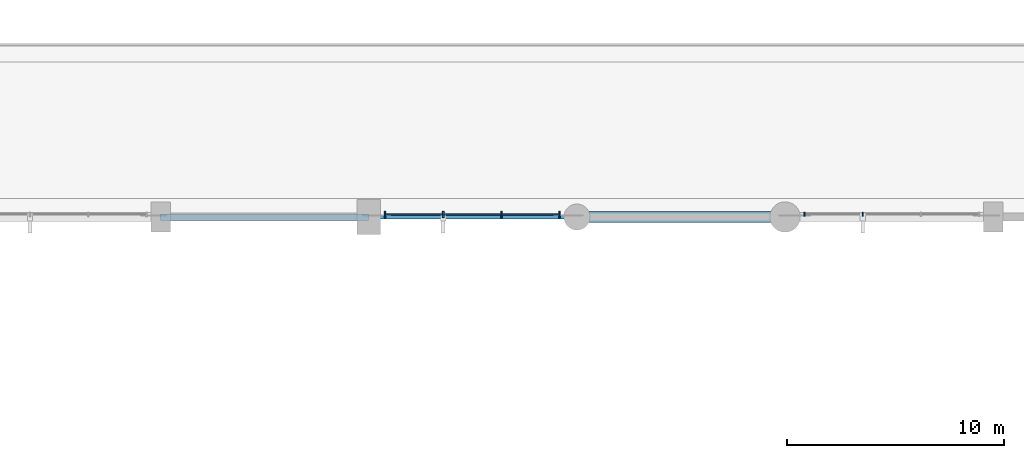
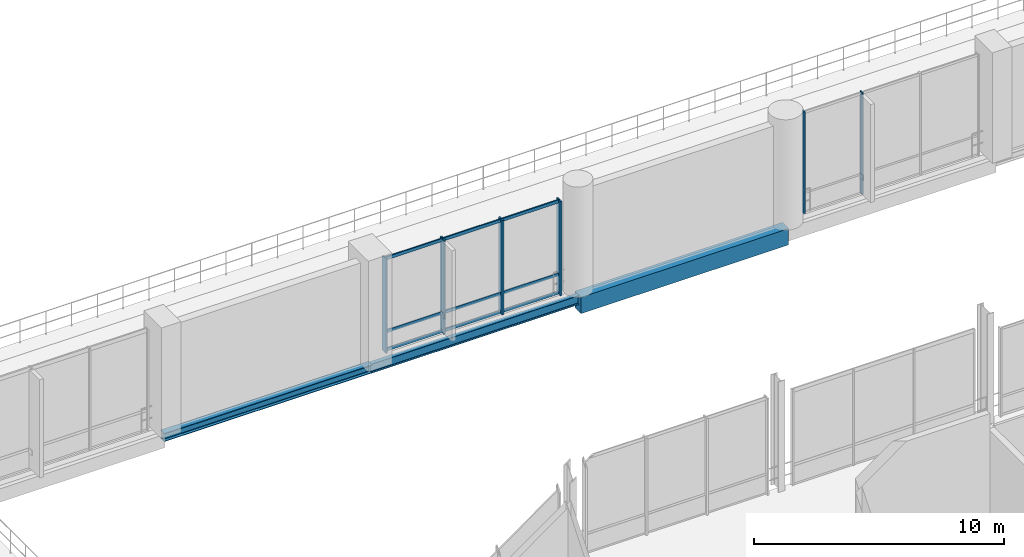
# One storey, part 35 of 129: 9 members, 3 beams, 2 elements without a shape of their own.
"""IFC4 building model written with IfcOpenShell, lengths in metres."""

import ifcopenshell
import ifcopenshell.guid

model = None  # the IFC model being written
_history = None  # IfcOwnerHistory: only IFC2X3 demands one
_inside = {}  # id of a spatial element -> (the spatial element, [elements in it])
_under = {}  # id of a project, library or spatial element -> (it, [spatial elements below it])
_declared = {}  # id of a project -> (the project, [libraries it declares])
_typed = {}  # id of a type object -> (the type object, [elements of that type])
_made_of = {}  # id of a material, layer set ... -> (it, [elements and type objects made of it])


def new_model(schema):
    """Start an empty IFC model of exactly this schema.

    Asked for "IFC4X3", IfcOpenShell would pick the latest addendum, in which some entities
    have other attributes; the version numbers below select the first issue.
    IFC2X3 requires an IfcOwnerHistory on every rooted entity: one is made here for all.
    """
    global model, _history
    if schema == "IFC4X3":
        model = ifcopenshell.file(schema_version=(4, 3, 0, 0))
    else:
        model = ifcopenshell.file(schema=schema)
    _inside.clear()
    _under.clear()
    _declared.clear()
    _typed.clear()
    _made_of.clear()
    _history = None
    if model.schema == "IFC2X3":
        org = make("IfcOrganization", Name="unknown")
        user = make(
            "IfcPersonAndOrganization",
            ThePerson=make("IfcPerson", FamilyName="unknown"),
            TheOrganization=org,
        )
        app = make(
            "IfcApplication",
            ApplicationDeveloper=org,
            Version="unknown",
            ApplicationFullName="unknown",
            ApplicationIdentifier="unknown",
        )
        _history = make(
            "IfcOwnerHistory",
            OwningUser=user,
            OwningApplication=app,
            ChangeAction="ADDED",
            CreationDate=0,
        )
    return model


def make(cls, **values):
    """One entity of the class cls with the attributes given. An attribute that is None is left unset."""
    return model.create_entity(
        cls, **{name: value for name, value in values.items() if value is not None}
    )


def rooted(cls, **values):
    """An entity with a GlobalId (a new one), such as an element, a storey or a relation."""
    return make(cls, GlobalId=ifcopenshell.guid.new(), OwnerHistory=_history, **values)


def si_unit(unit_type, name, prefix=None):
    """IfcSIUnit, for example si_unit("LENGTHUNIT", "METRE", prefix="MILLI")."""
    return make("IfcSIUnit", UnitType=unit_type, Prefix=prefix, Name=name)


def assignment(units):
    """IfcUnitAssignment: the units of a project."""
    return None if units is None else make("IfcUnitAssignment", Units=units)


def point(xyz):
    """IfcCartesianPoint."""
    return None if xyz is None else make("IfcCartesianPoint", Coordinates=xyz)


def direction(xyz):
    """IfcDirection."""
    return None if xyz is None else make("IfcDirection", DirectionRatios=xyz)


def frame(location, z_axis=None, x_axis=None):
    """IfcAxis2Placement3D, a coordinate frame: its origin and axes. An axis left out is left unset."""
    return make(
        "IfcAxis2Placement3D",
        Location=point(location),
        Axis=direction(z_axis),
        RefDirection=direction(x_axis),
    )


def frame_2d(location, x_axis=None):
    """IfcAxis2Placement2D, a coordinate frame in the plane: its origin and x axis."""
    return make(
        "IfcAxis2Placement2D", Location=point(location), RefDirection=direction(x_axis)
    )


def origin():
    """The frame at (0, 0, 0) with its axes left unset."""
    return frame((0.0, 0.0, 0.0))


def origin_2d():
    """The frame at (0, 0) in the plane with its x axis left unset."""
    return frame_2d((0.0, 0.0))


def place(relative_to, where):
    """IfcLocalPlacement: puts the frame where relative to a parent placement (None: the world)."""
    return make(
        "IfcLocalPlacement", PlacementRelTo=relative_to, RelativePlacement=where
    )


def context(
    kind, dimensions, precision=None, world=None, true_north=None, identifier=None
):
    """IfcGeometricRepresentationContext, for example the 3D "Model" context."""
    return make(
        "IfcGeometricRepresentationContext",
        ContextIdentifier=identifier,
        ContextType=kind,
        CoordinateSpaceDimension=dimensions,
        Precision=precision,
        WorldCoordinateSystem=world,
        TrueNorth=true_north,
    )


def subcontext(parent, identifier, kind, view, scale=None):
    """IfcGeometricRepresentationSubContext, for example "Body" below "Model"."""
    return make(
        "IfcGeometricRepresentationSubContext",
        ContextIdentifier=identifier,
        ContextType=kind,
        ParentContext=parent,
        TargetScale=scale,
        TargetView=view,
    )


def project(units=None, contexts=None):
    """IfcProject with its units and contexts."""
    return rooted(
        "IfcProject",
        Name="project",
        RepresentationContexts=contexts,
        UnitsInContext=assignment(units),
    )


def spatial(cls, under=None, at=None, **own):
    """A site, building, storey or space (cls), placed at a placement, below another one or the project."""
    s = rooted(cls, ObjectPlacement=at, **own)
    if under is not None:
        _under.setdefault(under.id(), (under, []))[1].append(s)
    return s


def profile(cls, at=None, kind="AREA", **sizes):
    """A parametric profile (cls). Its sizes go by their IFC names, for example OverallWidth=200.0."""
    return make(cls, ProfileType=kind, Position=at, **sizes)


def rectangle(**sizes):
    """IfcRectangleProfileDef."""
    return profile("IfcRectangleProfileDef", **sizes)


def i_section(**sizes):
    """IfcIShapeProfileDef."""
    return profile("IfcIShapeProfileDef", **sizes)


def extrude(swept, where, along, depth):
    """IfcExtrudedAreaSolid: the profile swept, set in the frame where, extruded along a direction by depth."""
    return make(
        "IfcExtrudedAreaSolid",
        SweptArea=swept,
        Position=where,
        ExtrudedDirection=direction(along),
        Depth=depth,
    )


def shape(context_of_items, identifier, shape_type, items):
    """IfcShapeRepresentation: the items that make up one representation, for example the "Body"."""
    return make(
        "IfcShapeRepresentation",
        ContextOfItems=context_of_items,
        RepresentationIdentifier=identifier,
        RepresentationType=shape_type,
        Items=items,
    )


def material(Name=None, Category=None):
    """IfcMaterial."""
    return make("IfcMaterial", Name=Name, Category=Category)


def material_profile(
    of_material, cross_section, Name=None, Category=None, Priority=None
):
    """IfcMaterialProfile: a cross section and its material."""
    return make(
        "IfcMaterialProfile",
        Name=Name,
        Material=of_material,
        Profile=cross_section,
        Priority=Priority,
        Category=Category,
    )


def profile_set(profiles, Name=None, composite=None):
    """IfcMaterialProfileSet."""
    return make(
        "IfcMaterialProfileSet",
        Name=Name,
        MaterialProfiles=profiles,
        CompositeProfile=composite,
    )


def made_of(thing, what):
    """Note that an element or type object is made of a material, layer set ...; save() writes the relation."""
    if what is not None:
        _made_of.setdefault(what.id(), (what, []))[1].append(thing)
    return thing


def type_object(cls, material=None, **own):
    """A type object (cls), such as IfcWallType, which elements share."""
    return made_of(rooted(cls, **own), material)


def element(
    cls,
    number,
    at=None,
    inside=None,
    cuts=None,
    type_object=None,
    material=None,
    context=None,
    identifier="Body",
    shape_type=None,
    held_by="IfcProductDefinitionShape",
    body=None,
    shapes=None,
    **own,
):
    """One element of the class cls, such as IfcWall. Its Tag is "e" and its number.

    at: its placement. inside: the storey or other place that contains it. cuts: it is an
    opening in that element (IfcRelVoidsElement). A single representation is given by context,
    identifier, shape_type and body (its items); several are given by shapes. held_by: the class
    of the entity that holds the representations. save() writes the other relations.
    """
    e = rooted(cls, Tag="e%d" % number, ObjectPlacement=at, **own)
    if body is not None:
        shapes = [shape(context, identifier, shape_type, body)]
    if shapes is not None:
        e.Representation = make(held_by, Representations=shapes)
    if inside is not None:
        _inside.setdefault(inside.id(), (inside, []))[1].append(e)
    if cuts is not None:
        rooted(
            "IfcRelVoidsElement", RelatingBuildingElement=cuts, RelatedOpeningElement=e
        )
    if type_object is not None:
        _typed.setdefault(type_object.id(), (type_object, []))[1].append(e)
    return made_of(e, material)


def aggregate(whole, parts):
    """IfcRelAggregates: a whole, such as a stair, and the parts it consists of."""
    return rooted("IfcRelAggregates", RelatingObject=whole, RelatedObjects=parts)


def save(model, path):
    """Write the relations noted so far, then the file.

    IfcRelAggregates (storeys below a building ...), IfcRelContainedInSpatialStructure (elements
    in a storey), IfcRelDefinesByType, IfcRelAssociatesMaterial and IfcRelDeclares: one each for
    every whole, place, type object, material and project.
    """
    for whole, parts in _under.values():
        aggregate(whole, parts)
    for where, things in _inside.values():
        rooted(
            "IfcRelContainedInSpatialStructure",
            RelatedElements=things,
            RelatingStructure=where,
        )
    for kind, things in _typed.values():
        rooted("IfcRelDefinesByType", RelatedObjects=things, RelatingType=kind)
    for what, things in _made_of.values():
        rooted("IfcRelAssociatesMaterial", RelatedObjects=things, RelatingMaterial=what)
    for by, libraries in _declared.values():
        rooted("IfcRelDeclares", RelatingContext=by, RelatedDefinitions=libraries)
    model.write(path)


model = new_model("IFC4")

# Units and contexts
model_context = context("Model", 3, precision=1e-05, world=origin(), true_north=direction((0.0, 1.0)))
body_context = subcontext(model_context, "Body", "Model", "MODEL_VIEW")
ifc_project = project(units=[si_unit("LENGTHUNIT", "METRE"), si_unit("AREAUNIT", "SQUARE_METRE"), si_unit("VOLUMEUNIT", "CUBIC_METRE"), si_unit("PLANEANGLEUNIT", "RADIAN"), si_unit("MASSUNIT", "GRAM", prefix="KILO")], contexts=[model_context])

# Site, building, storey
site_placement = place(None, origin())
site = spatial("IfcSite", under=ifc_project, at=site_placement, CompositionType="ELEMENT")
building_placement = place(site_placement, origin())
building = spatial("IfcBuilding", under=site, at=building_placement, Name="Danafjord Basin Convention Centre", CompositionType="ELEMENT")
storey_placement = place(building_placement, frame((0.0, 0.0, 6.0)))
storey = spatial("IfcBuildingStorey", under=building, at=storey_placement, Name="L01", CompositionType="ELEMENT", Elevation=6.0)

# Beams
ifc_material_1 = material(Name="Steel S355", Category="steel")
ifc_material_profile_1 = material_profile(ifc_material_1, i_section(OverallWidth=0.300048828125, OverallDepth=0.39990234375, WebThickness=0.013427734375, FlangeThickness=0.02392578125, FilletRadius=0.027099609375, at=origin_2d()), Name="HEB 400")
ifc_profile_set_1 = profile_set([ifc_material_profile_1], Name="Steel S355")
beam_type_1 = type_object("IfcBeamType", Name="BEAM-SP-HEB400", PredefinedType="SPANDREL", material=ifc_profile_set_1)
beam_1_placement = place(storey_placement, frame((28.800048828125, 56.0, -0.449951171875), z_axis=(1.0, 0.0, 0.0), x_axis=(0.0, 1.0, 0.0)))
element("IfcBeam", 1, at=beam_1_placement, inside=storey, type_object=beam_type_1, Name="L01 girder SP-HEB400", PredefinedType="SPANDREL", context=body_context, shape_type="SweptSolid", body=[
    extrude(i_section(OverallWidth=0.300048828125, OverallDepth=0.39990234375, WebThickness=0.013427734375, FlangeThickness=0.02392578125, FilletRadius=0.027099609375, at=origin_2d()), origin(), (0.0, 0.0, 1.0), 9.599853515625),
])
ifc_material_profile_2 = material_profile(ifc_material_1, i_section(OverallWidth=0.18994140625, OverallDepth=0.449951171875, WebThickness=0.009521484375, FlangeThickness=0.0146484375, FilletRadius=0.02099609375, at=origin_2d()), Name="IPE 450")
ifc_profile_set_2 = profile_set([ifc_material_profile_2], Name="Steel S355")
beam_type_2 = type_object("IfcBeamType", Name="BEAM-SP-IPE450", PredefinedType="SPANDREL", material=ifc_profile_set_2)
beam_2_placement = place(storey_placement, frame((38.39990234375, 56.0, -0.47509765625), z_axis=(1.0, 0.0, 0.0), x_axis=(0.0, 1.0, 0.0)))
element("IfcBeam", 2, at=beam_2_placement, inside=storey, type_object=beam_type_2, Name="L01 girder SP-IPE450", PredefinedType="SPANDREL", context=body_context, shape_type="SweptSolid", body=[
    extrude(i_section(OverallWidth=0.18994140625, OverallDepth=0.449951171875, WebThickness=0.009521484375, FlangeThickness=0.0146484375, FilletRadius=0.02099609375, at=origin_2d()), origin(), (0.0, 0.0, 1.0), 9.60009765625),
])
ifc_material_2 = material(Name="Precast concrete C45/55", Category="concrete")
ifc_material_profile_3 = material_profile(ifc_material_2, rectangle(XDim=0.5, YDim=0.800048828125, at=origin_2d()), Name="PCB 500x800")
ifc_profile_set_3 = profile_set([ifc_material_profile_3], Name="Precast concrete C45/55")
beam_type_3 = type_object("IfcBeamType", Name="BEAM-SP-PCB800", PredefinedType="SPANDREL", material=ifc_profile_set_3)
beam_3_placement = place(storey_placement, frame((48.0, 56.0, -0.64990234375), z_axis=(1.0, 0.0, 0.0), x_axis=(0.0, 1.0, 0.0)))
element("IfcBeam", 3, at=beam_3_placement, inside=storey, type_object=beam_type_3, Name="L01 girder SP-PCB800", PredefinedType="SPANDREL", context=body_context, shape_type="SweptSolid", body=[
    extrude(rectangle(XDim=0.5, YDim=0.800048828125, at=origin_2d()), origin(), (0.0, 0.0, 1.0), 9.60009765625),
])

# Curtain wall, members
ifc_material_3 = material(Name="Anodised aluminium and triple glazing", Category="aluminium")
curtain_wall_type = type_object("IfcCurtainWallType", Name="CW-CW-HALL", PredefinedType="NOTDEFINED", material=ifc_material_3)
curtain_wall_1_placement = place(storey_placement, origin())
curtain_wall_1 = element("IfcCurtainWall", 4, at=curtain_wall_1_placement, inside=storey, type_object=curtain_wall_type, Name="L01 CW-HALL unitised curtain wall bay 6", PredefinedType="NOTDEFINED")
ifc_material_4 = material(Name="Anodised aluminium EN AW-6060", Category="aluminium")
ifc_material_profile_4 = material_profile(ifc_material_4, rectangle(XDim=0.06005859375, YDim=0.179931640625, at=origin_2d()), Name="MULL 60x180")
ifc_profile_set_4 = profile_set([ifc_material_profile_4], Name="Anodised aluminium EN AW-6060")
member_type_1 = type_object("IfcMemberType", Name="MEM-ML-180", PredefinedType="MULLION", material=ifc_profile_set_4)
member_1_placement = place(storey_placement, frame((58.5, 56.1201171875, -0.02490234375), z_axis=(0.0, 0.0, 1.0), x_axis=(1.0, 0.0, 0.0)))
member_1 = element("IfcMember", 5, at=member_1_placement, type_object=member_type_1, Name="CW-L01-006 mullion 1", PredefinedType="MULLION", context=body_context, shape_type="SweptSolid", body=[
    extrude(rectangle(XDim=0.06005859375, YDim=0.179931640625, at=origin_2d()), origin(), (0.0, 0.0, 1.0), 4.98486328125),
])
member_2_placement = place(storey_placement, frame((61.183349609375, 56.1201171875, -0.02490234375), z_axis=(0.0, 0.0, 1.0), x_axis=(1.0, 0.0, 0.0)))
member_2 = element("IfcMember", 6, at=member_2_placement, type_object=member_type_1, Name="CW-L01-006 mullion 2", PredefinedType="MULLION", context=body_context, shape_type="SweptSolid", body=[
    extrude(rectangle(XDim=0.06005859375, YDim=0.179931640625, at=origin_2d()), origin(), (0.0, 0.0, 1.0), 4.98486328125),
])
aggregate(curtain_wall_1, [member_1, member_2])

curtain_wall_2_placement = place(storey_placement, origin())
curtain_wall_2 = element("IfcCurtainWall", 7, at=curtain_wall_2_placement, inside=storey, type_object=curtain_wall_type, Name="L01 CW-HALL unitised curtain wall bay 4", PredefinedType="NOTDEFINED")
ifc_material_profile_5 = material_profile(ifc_material_4, rectangle(XDim=0.080078125, YDim=0.300048828125, at=origin_2d()), Name="MULL 80x300")
ifc_profile_set_5 = profile_set([ifc_material_profile_5], Name="Anodised aluminium EN AW-6060")
member_type_2 = type_object("IfcMemberType", Name="MEM-ML-300", PredefinedType="MULLION", material=ifc_profile_set_5)
member_3_placement = place(storey_placement, frame((39.14990234375, 56.1201171875, -0.02490234375), z_axis=(0.0, 0.0, 1.0), x_axis=(1.0, 0.0, 0.0)))
member_3 = element("IfcMember", 8, at=member_3_placement, type_object=member_type_2, Name="CW-L01-004 mullion 1", PredefinedType="MULLION", context=body_context, shape_type="SweptSolid", body=[
    extrude(rectangle(XDim=0.080078125, YDim=0.300048828125, at=origin_2d()), origin(), (0.0, 0.0, 1.0), 4.614990234375),
])
member_4_placement = place(storey_placement, frame((41.833251953125, 56.1201171875, -0.02490234375), z_axis=(0.0, 0.0, 1.0), x_axis=(1.0, 0.0, 0.0)))
member_4 = element("IfcMember", 9, at=member_4_placement, type_object=member_type_2, Name="CW-L01-004 mullion 2", PredefinedType="MULLION", context=body_context, shape_type="SweptSolid", body=[
    extrude(rectangle(XDim=0.080078125, YDim=0.300048828125, at=origin_2d()), origin(), (0.0, 0.0, 1.0), 4.614990234375),
])
member_5_placement = place(storey_placement, frame((44.5166015625, 56.1201171875, -0.02490234375), z_axis=(0.0, 0.0, 1.0), x_axis=(1.0, 0.0, 0.0)))
member_5 = element("IfcMember", 10, at=member_5_placement, type_object=member_type_2, Name="CW-L01-004 mullion 3", PredefinedType="MULLION", context=body_context, shape_type="SweptSolid", body=[
    extrude(rectangle(XDim=0.080078125, YDim=0.300048828125, at=origin_2d()), origin(), (0.0, 0.0, 1.0), 4.614990234375),
])
member_6_placement = place(storey_placement, frame((47.199951171875, 56.1201171875, -0.02490234375), z_axis=(0.0, 0.0, 1.0), x_axis=(1.0, 0.0, 0.0)))
member_6 = element("IfcMember", 11, at=member_6_placement, type_object=member_type_2, Name="CW-L01-004 mullion 4", PredefinedType="MULLION", context=body_context, shape_type="SweptSolid", body=[
    extrude(rectangle(XDim=0.080078125, YDim=0.300048828125, at=origin_2d()), origin(), (0.0, 0.0, 1.0), 4.614990234375),
])
ifc_material_profile_6 = material_profile(ifc_material_4, rectangle(XDim=0.06005859375, YDim=0.14990234375, at=origin_2d()), Name="TRAN 60x150")
ifc_profile_set_6 = profile_set([ifc_material_profile_6], Name="Anodised aluminium EN AW-6060")
member_type_3 = type_object("IfcMemberType", Name="MEM-TR-150", PredefinedType="USERDEFINED", material=ifc_profile_set_6)
member_7_placement = place(storey_placement, frame((39.14990234375, 56.1201171875, 0.06005859375), z_axis=(1.0, 0.0, 0.0), x_axis=(0.0, 1.0, 0.0)))
member_7 = element("IfcMember", 12, at=member_7_placement, type_object=member_type_3, Name="CW-L01-004 transom 1", ObjectType="TRANSOM", PredefinedType="USERDEFINED", context=body_context, shape_type="SweptSolid", body=[
    extrude(rectangle(XDim=0.06005859375, YDim=0.14990234375, at=origin_2d()), origin(), (0.0, 0.0, 1.0), 8.050048828125),
])
member_8_placement = place(storey_placement, frame((39.14990234375, 56.1201171875, 0.949951171875), z_axis=(1.0, 0.0, 0.0), x_axis=(0.0, 1.0, 0.0)))
member_8 = element("IfcMember", 13, at=member_8_placement, type_object=member_type_3, Name="CW-L01-004 transom 2", ObjectType="TRANSOM", PredefinedType="USERDEFINED", context=body_context, shape_type="SweptSolid", body=[
    extrude(rectangle(XDim=0.06005859375, YDim=0.14990234375, at=origin_2d()), origin(), (0.0, 0.0, 1.0), 8.050048828125),
])
member_9_placement = place(storey_placement, frame((39.14990234375, 56.1201171875, 4.52001953125), z_axis=(1.0, 0.0, 0.0), x_axis=(0.0, 1.0, 0.0)))
member_9 = element("IfcMember", 14, at=member_9_placement, type_object=member_type_3, Name="CW-L01-004 transom 3", ObjectType="TRANSOM", PredefinedType="USERDEFINED", context=body_context, shape_type="SweptSolid", body=[
    extrude(rectangle(XDim=0.06005859375, YDim=0.14990234375, at=origin_2d()), origin(), (0.0, 0.0, 1.0), 8.050048828125),
])
aggregate(curtain_wall_2, [member_3, member_4, member_5, member_6, member_7, member_8, member_9])

save(model, "model.ifc")
